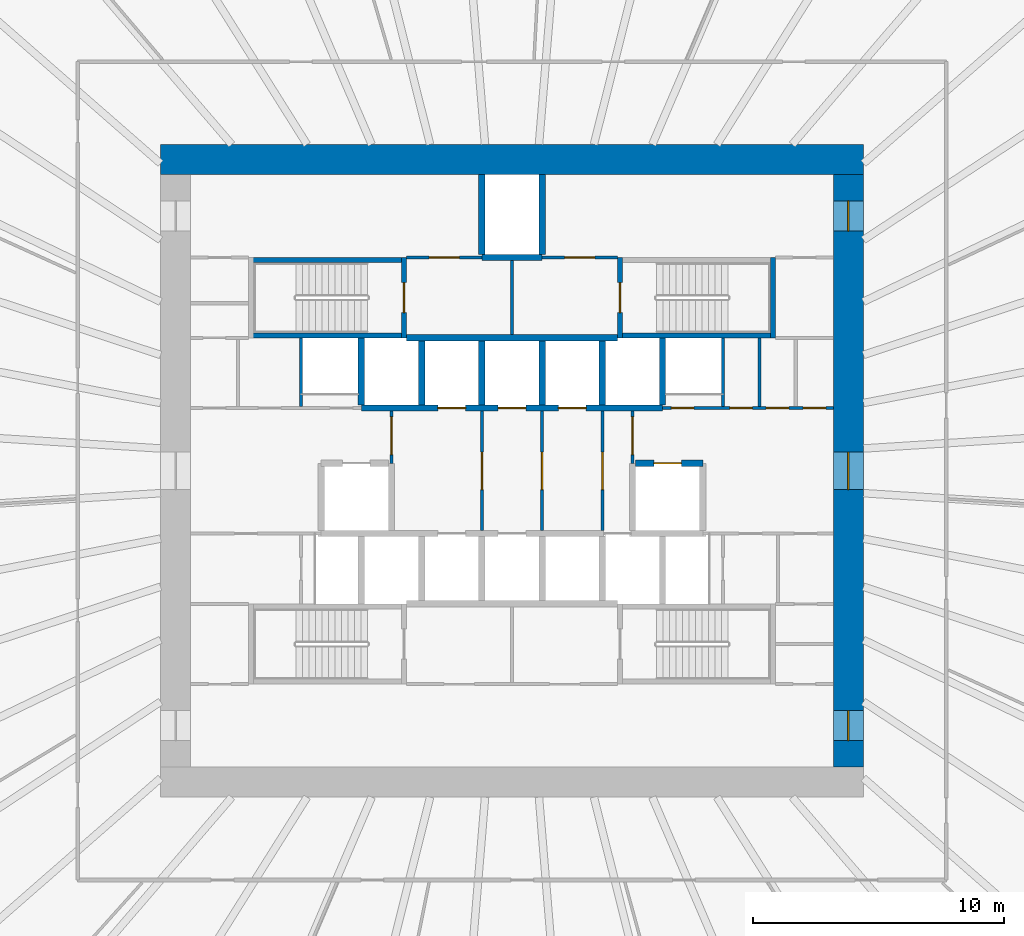
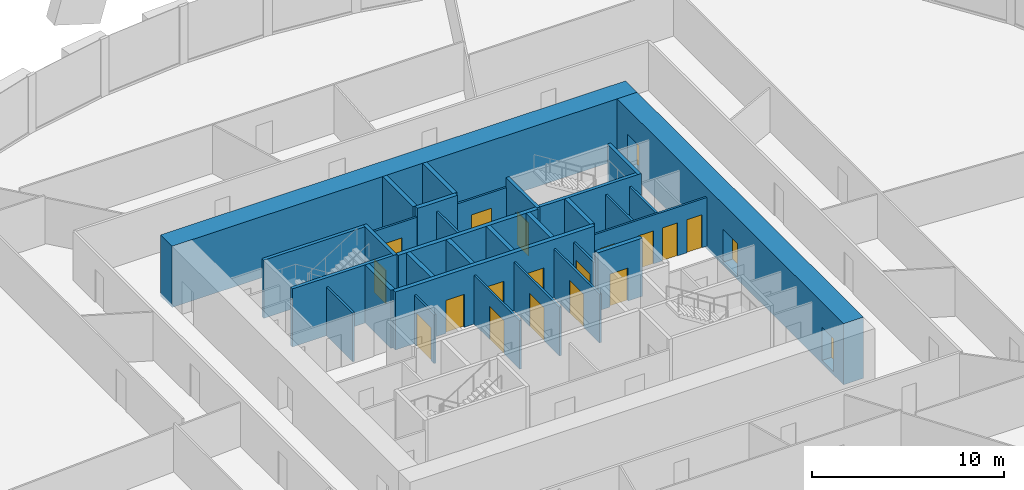
# One storey, part 8 of 10: 32 walls, 20 doors, 20 openings.
"""IFC4 building model written with IfcOpenShell, lengths in metres."""

from ifc_helpers import new_model, si_unit, direction, frame, frame_2d, origin, place, context, subcontext, project, spatial, rectangle, extrude, source, transform, mapped, material, layer, layer_set, type_object, element, fill, save


model = new_model("IFC4")

# Units and contexts
model_context = context("Model", 3, precision=1e-05, world=origin(), true_north=direction((0.0, 1.0)))
body_context = subcontext(model_context, "Body", "Model", "MODEL_VIEW")
ifc_project = project(units=[si_unit("LENGTHUNIT", "METRE"), si_unit("AREAUNIT", "SQUARE_METRE"), si_unit("VOLUMEUNIT", "CUBIC_METRE"), si_unit("PLANEANGLEUNIT", "RADIAN"), si_unit("MASSUNIT", "GRAM", prefix="KILO")], contexts=[model_context])

# Site, building, storey
site_placement = place(None, origin())
site = spatial("IfcSite", under=ifc_project, at=site_placement, CompositionType="ELEMENT")
building_placement = place(site_placement, origin())
building = spatial("IfcBuilding", under=site, at=building_placement, Name="Embergate Tower", CompositionType="ELEMENT")
storey_placement = place(building_placement, frame((0.0, 0.0, 89.300048828125)))
storey = spatial("IfcBuildingStorey", under=building, at=storey_placement, Name="L18", CompositionType="ELEMENT", Elevation=89.300048828125)

# Wall
ifc_material_1 = material(Name="Concrete C80", Category="concrete")
ifc_layer_1 = layer(ifc_material_1, 1.199951171875)
ifc_layer_set_1 = layer_set([ifc_layer_1], Name="Concrete C80")
wall_type_1 = type_object("IfcWallType", Name="Core outer wall C80 1200", PredefinedType="SHEAR", material=ifc_layer_set_1)
shared_shape_1 = source(origin(), body_context, "Body", "SweptSolid", [
    extrude(rectangle(XDim=28.0, YDim=1.199951171875, at=frame_2d((14.0, 0.0))), origin(), (0.0, 0.0, 1.0), 3.89990234375),
])
wall_1_placement = place(storey_placement, frame((-14.0, 12.39990234375, -0.199951171875), z_axis=(0.0, 0.0, 1.0), x_axis=(1.0, 0.0, 0.0)))
element("IfcWall", 1, at=wall_1_placement, inside=storey, type_object=wall_type_1, Name="CW-L18-N", PredefinedType="SHEAR", context=body_context, shape_type="MappedRepresentation", body=[
    mapped(shared_shape_1, transform((0.0, 0.0, 0.0))),
])

# Wall, openings, doors
shared_shape_2 = source(origin(), body_context, "Body", "SweptSolid", [
    extrude(rectangle(XDim=23.60009765625, YDim=1.199951171875, at=frame_2d((11.800048828125, 0.0))), origin(), (0.0, 0.0, 1.0), 3.89990234375),
])
wall_2_placement = place(storey_placement, frame((13.39990234375, -11.800048828125, -0.199951171875), z_axis=(0.0, 0.0, 1.0), x_axis=(0.0, 1.0, 0.0)))
wall_2 = element("IfcWall", 2, at=wall_2_placement, inside=storey, type_object=wall_type_1, Name="CW-L18-E", PredefinedType="SHEAR", context=body_context, shape_type="MappedRepresentation", body=[
    mapped(shared_shape_2, transform((0.0, 0.0, 0.0))),
])
shared_shape_3 = source(origin(), body_context, "Body", "SweptSolid", [
    extrude(rectangle(XDim=1.199951171875, YDim=2.10009765625, at=frame_2d((0.60009765625, 1.050048828125))), frame((0.0, 0.60986328125, 0.0), z_axis=(0.0, -1.0, 0.0), x_axis=(1.0, 0.0, 0.0)), (0.0, 0.0, 1.0), 1.219970703125),
])
opening_1_placement = place(wall_2_placement, frame((21.35009765625, 0.0, 0.199951171875)))
opening_1 = element("IfcOpeningElement", 3, at=opening_1_placement, cuts=wall_2, Name="Opening IF-1", PredefinedType="OPENING", context=body_context, shape_type="MappedRepresentation", body=[
    mapped(shared_shape_3, transform((0.0, 0.0, 0.0))),
])
opening_2_placement = place(wall_2_placement, frame((1.050048828125, 0.0, 0.199951171875)))
opening_2 = element("IfcOpeningElement", 4, at=opening_2_placement, cuts=wall_2, Name="Opening IF-1", PredefinedType="OPENING", context=body_context, shape_type="MappedRepresentation", body=[
    mapped(shared_shape_3, transform((0.0, 0.0, 0.0))),
])
shared_shape_4 = source(origin(), body_context, "Body", "SweptSolid", [
    extrude(rectangle(XDim=1.5, YDim=2.10009765625, at=frame_2d((0.75, 1.050048828125))), frame((0.0, 0.60986328125, 0.0), z_axis=(0.0, -1.0, 0.0), x_axis=(1.0, 0.0, 0.0)), (0.0, 0.0, 1.0), 1.219970703125),
])
opening_3_placement = place(wall_2_placement, frame((11.050048828125, 0.0, 0.199951171875)))
opening_3 = element("IfcOpeningElement", 5, at=opening_3_placement, cuts=wall_2, Name="Opening IF-3", PredefinedType="OPENING", context=body_context, shape_type="MappedRepresentation", body=[
    mapped(shared_shape_4, transform((0.0, 0.0, 0.0))),
])
ifc_material_2 = material(Name="Escape fire door 1200")
door_type_1 = type_object("IfcDoorType", Name="Escape fire door 1200", OperationType="SINGLE_SWING_LEFT", PredefinedType="DOOR", material=ifc_material_2)
shared_shape_5 = source(origin(), body_context, "Body", "SweptSolid", [
    extrude(rectangle(XDim=1.199951171875, YDim=2.10009765625, at=frame_2d((0.60009765625, 1.050048828125))), frame((0.0, 0.02490234375, 0.0), z_axis=(0.0, -1.0, 0.0), x_axis=(1.0, 0.0, 0.0)), (0.0, 0.0, 1.0), 0.050048828125),
])
door_1_placement = place(opening_1_placement, origin())
door_1 = element("IfcDoor", 6, at=door_1_placement, inside=storey, type_object=door_type_1, Name="IF-1 door", OperationType="SINGLE_SWING_RIGHT", OverallHeight=2.10009765625, OverallWidth=1.199951171875, PredefinedType="DOOR", context=body_context, shape_type="MappedRepresentation", body=[
    mapped(shared_shape_5, transform((0.0, 0.0, 0.0))),
])
fill(opening_1, door_1)
door_2_placement = place(opening_2_placement, origin())
door_2 = element("IfcDoor", 7, at=door_2_placement, inside=storey, type_object=door_type_1, Name="IF-1 door", OperationType="SINGLE_SWING_RIGHT", OverallHeight=2.10009765625, OverallWidth=1.199951171875, PredefinedType="DOOR", context=body_context, shape_type="MappedRepresentation", body=[
    mapped(shared_shape_5, transform((0.0, 0.0, 0.0))),
])
fill(opening_2, door_2)
ifc_material_3 = material(Name="Lobby fire door pair 1500")
door_type_2 = type_object("IfcDoorType", Name="Lobby fire door pair 1500", OperationType="DOUBLE_DOOR_SINGLE_SWING", PredefinedType="DOOR", material=ifc_material_3)
shared_shape_6 = source(origin(), body_context, "Body", "SweptSolid", [
    extrude(rectangle(XDim=1.5, YDim=2.10009765625, at=frame_2d((0.75, 1.050048828125))), frame((0.0, 0.02490234375, 0.0), z_axis=(0.0, -1.0, 0.0), x_axis=(1.0, 0.0, 0.0)), (0.0, 0.0, 1.0), 0.050048828125),
])
door_3_placement = place(opening_3_placement, origin())
door_3 = element("IfcDoor", 8, at=door_3_placement, inside=storey, type_object=door_type_2, Name="IF-3 door", OperationType="DOUBLE_DOOR_SINGLE_SWING", OverallHeight=2.10009765625, OverallWidth=1.5, PredefinedType="DOOR", context=body_context, shape_type="MappedRepresentation", body=[
    mapped(shared_shape_6, transform((0.0, 0.0, 0.0))),
])
fill(opening_3, door_3)

# Walls
ifc_material_4 = material(Name="Concrete C50", Category="concrete")
ifc_layer_2 = layer(ifc_material_4, 0.25)
ifc_layer_set_2 = layer_set([ifc_layer_2], Name="Concrete C50")
wall_type_2 = type_object("IfcWallType", Name="Hoistway wall reinforced concrete 250", PredefinedType="SHEAR", material=ifc_layer_set_2)
shared_shape_7 = source(origin(), body_context, "Body", "SweptSolid", [
    extrude(rectangle(XDim=2.675048828125, YDim=0.25, at=frame_2d((1.33740234375, 0.0))), origin(), (0.0, 0.0, 1.0), 3.699951171875),
])
for number, where, z_axis, x_axis, name in (
    (9, (-6.0, 2.625, 0.0), (0.0, 0.0, 1.0), (0.0, 1.0, 0.0), "HW-1 wall"),
    (10, (6.0, 2.625, 0.0), (0.0, 0.0, 1.0), (0.0, 1.0, 0.0), "HW-1 wall"),
):
    element("IfcWall", number, at=place(storey_placement, frame(where, z_axis=z_axis, x_axis=x_axis)), inside=storey, type_object=wall_type_2, Name=name, PredefinedType="SHEAR", context=body_context, shape_type="MappedRepresentation", body=[
        mapped(shared_shape_7, transform((0.0, 0.0, 0.0))),
    ])

# Wall, opening, door
wall_3_placement = place(storey_placement, frame((7.60009765625, 0.300048828125, 0.0), z_axis=(0.0, 0.0, 1.0), x_axis=(-1.0, 0.0, 0.0)))
wall_3 = element("IfcWall", 11, at=wall_3_placement, inside=storey, type_object=wall_type_2, Name="HW-1 wall", PredefinedType="SHEAR", context=body_context, shape_type="MappedRepresentation", body=[
    mapped(shared_shape_7, transform((0.0, 0.0, 0.0))),
])
shared_shape_8 = source(origin(), body_context, "Body", "SweptSolid", [
    extrude(rectangle(XDim=1.10009765625, YDim=2.10009765625, at=frame_2d((0.550048828125, 1.050048828125))), frame((0.0, 0.135009765625, 0.0), z_axis=(0.0, -1.0, 0.0), x_axis=(1.0, 0.0, 0.0)), (0.0, 0.0, 1.0), 0.27001953125),
])
opening_4_placement = place(wall_3_placement, frame((0.85009765625, 0.0, 0.0)))
opening_4 = element("IfcOpeningElement", 12, at=opening_4_placement, cuts=wall_3, Name="Opening LD", PredefinedType="OPENING", context=body_context, shape_type="MappedRepresentation", body=[
    mapped(shared_shape_8, transform((0.0, 0.0, 0.0))),
])
ifc_material_5 = material(Name="Landing door sliding 1100")
door_type_3 = type_object("IfcDoorType", Name="Landing door sliding 1100", OperationType="SLIDING_TO_LEFT", PredefinedType="DOOR", material=ifc_material_5)
shared_shape_9 = source(origin(), body_context, "Body", "SweptSolid", [
    extrude(rectangle(XDim=1.10009765625, YDim=2.10009765625, at=frame_2d((0.550048828125, 1.050048828125))), frame((0.0, 0.02490234375, 0.0), z_axis=(0.0, -1.0, 0.0), x_axis=(1.0, 0.0, 0.0)), (0.0, 0.0, 1.0), 0.050048828125),
])
door_4_placement = place(opening_4_placement, origin())
door_4 = element("IfcDoor", 13, at=door_4_placement, inside=storey, type_object=door_type_3, Name="LD door", OperationType="SLIDING_TO_LEFT", OverallHeight=2.10009765625, OverallWidth=1.10009765625, PredefinedType="DOOR", context=body_context, shape_type="MappedRepresentation", body=[
    mapped(shared_shape_9, transform((0.0, 0.0, 0.0))),
])
fill(opening_4, door_4)

# Walls
ifc_layer_3 = layer(ifc_material_4, 0.199951171875)
ifc_layer_set_3 = layer_set([ifc_layer_3], Name="Concrete C50")
wall_type_3 = type_object("IfcWallType", Name="Stair enclosure wall reinforced concrete 250", PredefinedType="SHEAR", material=ifc_layer_set_3)
shared_shape_10 = source(origin(), body_context, "Body", "SweptSolid", [
    extrude(rectangle(XDim=6.300048828125, YDim=0.199951171875, at=frame_2d((3.14990234375, 0.0))), origin(), (0.0, 0.0, 1.0), 3.699951171875),
])
for number, where, z_axis, x_axis, name in (
    (14, (-4.199951171875, 5.39990234375, 0.0), (0.0, 0.0, 1.0), (-1.0, 0.0, 0.0), "SE-1 wall"),
    (15, (10.5, 5.39990234375, 0.0), (0.0, 0.0, 1.0), (-1.0, 0.0, 0.0), "SE-1 wall"),
    (16, (-4.199951171875, 8.39990234375, 0.0), (0.0, 0.0, 1.0), (-1.0, 0.0, 0.0), "SE-1 wall"),
):
    element("IfcWall", number, at=place(storey_placement, frame(where, z_axis=z_axis, x_axis=x_axis)), inside=storey, type_object=wall_type_3, Name=name, PredefinedType="SHEAR", context=body_context, shape_type="MappedRepresentation", body=[
        mapped(shared_shape_10, transform((0.0, 0.0, 0.0))),
    ])
shared_shape_11 = source(origin(), body_context, "Body", "SweptSolid", [
    extrude(rectangle(XDim=2.550048828125, YDim=0.25, at=frame_2d((1.27490234375, 0.0))), origin(), (0.0, 0.0, 1.0), 3.699951171875),
])
for number, where, z_axis, x_axis, name in (
    (17, (-3.60009765625, 2.625, 0.0), (0.0, 0.0, 1.0), (0.0, 1.0, 0.0), "HW-1 wall"),
    (18, (-1.199951171875, 2.625, 0.0), (0.0, 0.0, 1.0), (0.0, 1.0, 0.0), "HW-1 wall"),
    (19, (1.199951171875, 2.625, 0.0), (0.0, 0.0, 1.0), (0.0, 1.0, 0.0), "HW-1 wall"),
    (20, (3.60009765625, 2.625, 0.0), (0.0, 0.0, 1.0), (0.0, 1.0, 0.0), "HW-1 wall"),
):
    element("IfcWall", number, at=place(storey_placement, frame(where, z_axis=z_axis, x_axis=x_axis)), inside=storey, type_object=wall_type_2, Name=name, PredefinedType="SHEAR", context=body_context, shape_type="MappedRepresentation", body=[
        mapped(shared_shape_11, transform((0.0, 0.0, 0.0))),
    ])

# Wall, openings, doors
shared_shape_12 = source(origin(), body_context, "Body", "SweptSolid", [
    extrude(rectangle(XDim=12.0, YDim=0.25, at=frame_2d((6.0, 0.0))), origin(), (0.0, 0.0, 1.0), 3.699951171875),
])
wall_4_placement = place(storey_placement, frame((-6.0, 2.5, 0.0), z_axis=(0.0, 0.0, 1.0), x_axis=(1.0, 0.0, 0.0)))
wall_4 = element("IfcWall", 21, at=wall_4_placement, inside=storey, type_object=wall_type_2, Name="HW-1 wall", PredefinedType="SHEAR", context=body_context, shape_type="MappedRepresentation", body=[
    mapped(shared_shape_12, transform((0.0, 0.0, 0.0))),
])
opening_5_placement = place(wall_4_placement, frame((3.050048828125, 0.0, 0.0)))
opening_5 = element("IfcOpeningElement", 22, at=opening_5_placement, cuts=wall_4, Name="Opening LD", PredefinedType="OPENING", context=body_context, shape_type="MappedRepresentation", body=[
    mapped(shared_shape_8, transform((0.0, 0.0, 0.0))),
])
opening_6_placement = place(wall_4_placement, frame((5.449951171875, 0.0, 0.0)))
opening_6 = element("IfcOpeningElement", 23, at=opening_6_placement, cuts=wall_4, Name="Opening LD", PredefinedType="OPENING", context=body_context, shape_type="MappedRepresentation", body=[
    mapped(shared_shape_8, transform((0.0, 0.0, 0.0))),
])
opening_7_placement = place(wall_4_placement, frame((7.85009765625, 0.0, 0.0)))
opening_7 = element("IfcOpeningElement", 24, at=opening_7_placement, cuts=wall_4, Name="Opening LD", PredefinedType="OPENING", context=body_context, shape_type="MappedRepresentation", body=[
    mapped(shared_shape_8, transform((0.0, 0.0, 0.0))),
])
door_5_placement = place(opening_5_placement, origin())
door_5 = element("IfcDoor", 25, at=door_5_placement, inside=storey, type_object=door_type_3, Name="LD door", OperationType="SLIDING_TO_LEFT", OverallHeight=2.10009765625, OverallWidth=1.10009765625, PredefinedType="DOOR", context=body_context, shape_type="MappedRepresentation", body=[
    mapped(shared_shape_9, transform((0.0, 0.0, 0.0))),
])
fill(opening_5, door_5)
door_6_placement = place(opening_6_placement, origin())
door_6 = element("IfcDoor", 26, at=door_6_placement, inside=storey, type_object=door_type_3, Name="LD door", OperationType="SLIDING_TO_LEFT", OverallHeight=2.10009765625, OverallWidth=1.10009765625, PredefinedType="DOOR", context=body_context, shape_type="MappedRepresentation", body=[
    mapped(shared_shape_9, transform((0.0, 0.0, 0.0))),
])
fill(opening_6, door_6)
door_7_placement = place(opening_7_placement, origin())
door_7 = element("IfcDoor", 27, at=door_7_placement, inside=storey, type_object=door_type_3, Name="LD door", OperationType="SLIDING_TO_RIGHT", OverallHeight=2.10009765625, OverallWidth=1.10009765625, PredefinedType="DOOR", context=body_context, shape_type="MappedRepresentation", body=[
    mapped(shared_shape_9, transform((0.0, 0.0, 0.0))),
])
fill(opening_7, door_7)

# Wall
shared_shape_13 = source(origin(), body_context, "Body", "SweptSolid", [
    extrude(rectangle(XDim=8.39990234375, YDim=0.25, at=frame_2d((4.199951171875, 0.0))), origin(), (0.0, 0.0, 1.0), 3.699951171875),
])
wall_5_placement = place(storey_placement, frame((4.199951171875, 5.300048828125, 0.0), z_axis=(0.0, 0.0, 1.0), x_axis=(-1.0, 0.0, 0.0)))
element("IfcWall", 28, at=wall_5_placement, inside=storey, type_object=wall_type_2, Name="HW-1 wall", PredefinedType="SHEAR", context=body_context, shape_type="MappedRepresentation", body=[
    mapped(shared_shape_13, transform((0.0, 0.0, 0.0))),
])

# Wall, opening, door
shared_shape_14 = source(origin(), body_context, "Body", "SweptSolid", [
    extrude(rectangle(XDim=3.199951171875, YDim=0.199951171875, at=frame_2d((1.60009765625, 0.0))), origin(), (0.0, 0.0, 1.0), 3.699951171875),
])
wall_6_placement = place(storey_placement, frame((-4.300048828125, 5.300048828125, 0.0), z_axis=(0.0, 0.0, 1.0), x_axis=(0.0, 1.0, 0.0)))
wall_6 = element("IfcWall", 29, at=wall_6_placement, inside=storey, type_object=wall_type_3, Name="SE-1 wall", PredefinedType="SHEAR", context=body_context, shape_type="MappedRepresentation", body=[
    mapped(shared_shape_14, transform((0.0, 0.0, 0.0))),
])
shared_shape_15 = source(origin(), body_context, "Body", "SweptSolid", [
    extrude(rectangle(XDim=1.199951171875, YDim=2.10009765625, at=frame_2d((0.60009765625, 1.050048828125))), frame((0.0, 0.10986328125, 0.0), z_axis=(0.0, -1.0, 0.0), x_axis=(1.0, 0.0, 0.0)), (0.0, 0.0, 1.0), 0.219970703125),
])
opening_8_placement = place(wall_6_placement, frame((1.0, 0.0, 0.0)))
opening_8 = element("IfcOpeningElement", 30, at=opening_8_placement, cuts=wall_6, Name="Opening IF-2", PredefinedType="OPENING", context=body_context, shape_type="MappedRepresentation", body=[
    mapped(shared_shape_15, transform((0.0, 0.0, 0.0))),
])
ifc_material_6 = material(Name="Stair enclosure door 1200")
door_type_4 = type_object("IfcDoorType", Name="Stair enclosure door 1200", OperationType="SINGLE_SWING_LEFT", PredefinedType="DOOR", material=ifc_material_6)
door_8_placement = place(opening_8_placement, origin())
door_8 = element("IfcDoor", 31, at=door_8_placement, inside=storey, type_object=door_type_4, Name="IF-2 door", OperationType="SINGLE_SWING_LEFT", OverallHeight=2.10009765625, OverallWidth=1.199951171875, PredefinedType="DOOR", context=body_context, shape_type="MappedRepresentation", body=[
    mapped(shared_shape_5, transform((0.0, 0.0, 0.0))),
])
fill(opening_8, door_8)

wall_7_placement = place(storey_placement, frame((4.300048828125, 8.5, 0.0), z_axis=(0.0, 0.0, 1.0), x_axis=(0.0, -1.0, 0.0)))
wall_7 = element("IfcWall", 32, at=wall_7_placement, inside=storey, type_object=wall_type_3, Name="SE-1 wall", PredefinedType="SHEAR", context=body_context, shape_type="MappedRepresentation", body=[
    mapped(shared_shape_14, transform((0.0, 0.0, 0.0))),
])
opening_9_placement = place(wall_7_placement, frame((1.0, 0.0, 0.0)))
opening_9 = element("IfcOpeningElement", 33, at=opening_9_placement, cuts=wall_7, Name="Opening IF-2", PredefinedType="OPENING", context=body_context, shape_type="MappedRepresentation", body=[
    mapped(shared_shape_15, transform((0.0, 0.0, 0.0))),
])
door_9_placement = place(opening_9_placement, origin())
door_9 = element("IfcDoor", 34, at=door_9_placement, inside=storey, type_object=door_type_4, Name="IF-2 door", OperationType="SINGLE_SWING_RIGHT", OverallHeight=2.10009765625, OverallWidth=1.199951171875, PredefinedType="DOOR", context=body_context, shape_type="MappedRepresentation", body=[
    mapped(shared_shape_5, transform((0.0, 0.0, 0.0))),
])
fill(opening_9, door_9)

# Walls
wall_8_placement = place(storey_placement, frame((10.39990234375, 5.300048828125, 0.0), z_axis=(0.0, 0.0, 1.0), x_axis=(0.0, 1.0, 0.0)))
element("IfcWall", 35, at=wall_8_placement, inside=storey, type_object=wall_type_3, Name="SE-1 wall", PredefinedType="SHEAR", context=body_context, shape_type="MappedRepresentation", body=[
    mapped(shared_shape_14, transform((0.0, 0.0, 0.0))),
])
shared_shape_16 = source(origin(), body_context, "Body", "SweptSolid", [
    extrude(rectangle(XDim=2.39990234375, YDim=0.25, at=frame_2d((1.199951171875, 0.0))), origin(), (0.0, 0.0, 1.0), 3.699951171875),
])
wall_9_placement = place(storey_placement, frame((1.199951171875, 8.5, 0.0), z_axis=(0.0, 0.0, 1.0), x_axis=(-1.0, 0.0, 0.0)))
element("IfcWall", 36, at=wall_9_placement, inside=storey, type_object=wall_type_2, Name="HW-1 wall", PredefinedType="SHEAR", context=body_context, shape_type="MappedRepresentation", body=[
    mapped(shared_shape_16, transform((0.0, 0.0, 0.0))),
])
shared_shape_17 = source(origin(), body_context, "Body", "SweptSolid", [
    extrude(rectangle(XDim=3.175048828125, YDim=0.25, at=frame_2d((1.58740234375, 0.0))), origin(), (0.0, 0.0, 1.0), 3.699951171875),
])
for number, where, z_axis, x_axis, name in (
    (37, (-1.199951171875, 8.625, 0.0), (0.0, 0.0, 1.0), (0.0, 1.0, 0.0), "HW-1 wall"),
    (38, (1.199951171875, 11.800048828125, 0.0), (0.0, 0.0, 1.0), (0.0, -1.0, 0.0), "HW-1 wall"),
):
    element("IfcWall", number, at=place(storey_placement, frame(where, z_axis=z_axis, x_axis=x_axis)), inside=storey, type_object=wall_type_2, Name=name, PredefinedType="SHEAR", context=body_context, shape_type="MappedRepresentation", body=[
        mapped(shared_shape_17, transform((0.0, 0.0, 0.0))),
    ])

# Wall, openings, doors
ifc_material_7 = material(Name="Core partition blockwork 120")
ifc_layer_4 = layer(ifc_material_7, 0.1201171875)
ifc_layer_set_4 = layer_set([ifc_layer_4], Name="Core partition blockwork 120")
wall_type_4 = type_object("IfcWallType", Name="Core partition blockwork 120", PredefinedType="PARTITIONING", material=ifc_layer_set_4)
shared_shape_18 = source(origin(), body_context, "Body", "SweptSolid", [
    extrude(rectangle(XDim=6.800048828125, YDim=0.1201171875, at=frame_2d((3.39990234375, 0.0))), origin(), (0.0, 0.0, 1.0), 3.099853515625),
])
wall_10_placement = place(storey_placement, frame((6.0, 2.5, 0.0), z_axis=(0.0, 0.0, 1.0), x_axis=(1.0, 0.0, 0.0)))
wall_10 = element("IfcWall", 39, at=wall_10_placement, inside=storey, type_object=wall_type_4, Name="IP-3 wall", PredefinedType="PARTITIONING", context=body_context, shape_type="MappedRepresentation", body=[
    mapped(shared_shape_18, transform((0.0, 0.0, 0.0))),
])
shared_shape_19 = source(origin(), body_context, "Body", "SweptSolid", [
    extrude(rectangle(XDim=0.89990234375, YDim=2.10009765625, at=frame_2d((0.449951171875, 1.050048828125))), frame((0.0, 0.070068359375, 0.0), z_axis=(0.0, -1.0, 0.0), x_axis=(1.0, 0.0, 0.0)), (0.0, 0.0, 1.0), 0.14013671875),
])
opening_10_placement = place(wall_10_placement, frame((0.35009765625, 0.0, 0.0)))
opening_10 = element("IfcOpeningElement", 40, at=opening_10_placement, cuts=wall_10, Name="Opening ID-1", PredefinedType="OPENING", context=body_context, shape_type="MappedRepresentation", body=[
    mapped(shared_shape_19, transform((0.0, 0.0, 0.0))),
])
opening_11_placement = place(wall_10_placement, frame((2.676025390625, 0.0, 0.0)))
opening_11 = element("IfcOpeningElement", 41, at=opening_11_placement, cuts=wall_10, Name="Opening ID-1", PredefinedType="OPENING", context=body_context, shape_type="MappedRepresentation", body=[
    mapped(shared_shape_19, transform((0.0, 0.0, 0.0))),
])
opening_12_placement = place(wall_10_placement, frame((4.1279296875, 0.0, 0.0)))
opening_12 = element("IfcOpeningElement", 42, at=opening_12_placement, cuts=wall_10, Name="Opening ID-1", PredefinedType="OPENING", context=body_context, shape_type="MappedRepresentation", body=[
    mapped(shared_shape_19, transform((0.0, 0.0, 0.0))),
])
opening_13_placement = place(wall_10_placement, frame((5.60205078125, 0.0, 0.0)))
opening_13 = element("IfcOpeningElement", 43, at=opening_13_placement, cuts=wall_10, Name="Opening ID-1", PredefinedType="OPENING", context=body_context, shape_type="MappedRepresentation", body=[
    mapped(shared_shape_19, transform((0.0, 0.0, 0.0))),
])
ifc_material_8 = material(Name="Interior door 900")
door_type_5 = type_object("IfcDoorType", Name="Interior door 900", OperationType="SINGLE_SWING_LEFT", PredefinedType="DOOR", material=ifc_material_8)
shared_shape_20 = source(origin(), body_context, "Body", "SweptSolid", [
    extrude(rectangle(XDim=0.89990234375, YDim=2.10009765625, at=frame_2d((0.449951171875, 1.050048828125))), frame((0.0, 0.02490234375, 0.0), z_axis=(0.0, -1.0, 0.0), x_axis=(1.0, 0.0, 0.0)), (0.0, 0.0, 1.0), 0.050048828125),
])
door_10_placement = place(opening_10_placement, origin())
door_10 = element("IfcDoor", 44, at=door_10_placement, inside=storey, type_object=door_type_5, Name="ID-1 door", OperationType="SINGLE_SWING_LEFT", OverallHeight=2.10009765625, OverallWidth=0.89990234375, PredefinedType="DOOR", context=body_context, shape_type="MappedRepresentation", body=[
    mapped(shared_shape_20, transform((0.0, 0.0, 0.0))),
])
fill(opening_10, door_10)
door_11_placement = place(opening_11_placement, origin())
door_11 = element("IfcDoor", 45, at=door_11_placement, inside=storey, type_object=door_type_5, Name="ID-1 door", OperationType="SINGLE_SWING_RIGHT", OverallHeight=2.10009765625, OverallWidth=0.89990234375, PredefinedType="DOOR", context=body_context, shape_type="MappedRepresentation", body=[
    mapped(shared_shape_20, transform((0.0, 0.0, 0.0))),
])
fill(opening_11, door_11)
door_12_placement = place(opening_12_placement, origin())
door_12 = element("IfcDoor", 46, at=door_12_placement, inside=storey, type_object=door_type_5, Name="ID-1 door", OperationType="SINGLE_SWING_LEFT", OverallHeight=2.10009765625, OverallWidth=0.89990234375, PredefinedType="DOOR", context=body_context, shape_type="MappedRepresentation", body=[
    mapped(shared_shape_20, transform((0.0, 0.0, 0.0))),
])
fill(opening_12, door_12)
door_13_placement = place(opening_13_placement, origin())
door_13 = element("IfcDoor", 47, at=door_13_placement, inside=storey, type_object=door_type_5, Name="ID-1 door", OperationType="SINGLE_SWING_LEFT", OverallHeight=2.10009765625, OverallWidth=0.89990234375, PredefinedType="DOOR", context=body_context, shape_type="MappedRepresentation", body=[
    mapped(shared_shape_20, transform((0.0, 0.0, 0.0))),
])
fill(opening_13, door_13)

# Walls
shared_shape_21 = source(origin(), body_context, "Body", "SweptSolid", [
    extrude(rectangle(XDim=2.739990234375, YDim=0.1201171875, at=frame_2d((1.3701171875, 0.0))), origin(), (0.0, 0.0, 1.0), 3.099853515625),
])
for number, where, z_axis, x_axis, name in (
    (48, (-8.39990234375, 5.300048828125, 0.0), (0.0, 0.0, 1.0), (0.0, -1.0, 0.0), "IP-3 wall"),
    (49, (8.39990234375, 2.56005859375, 0.0), (0.0, 0.0, 1.0), (0.0, 1.0, 0.0), "IP-3 wall"),
    (50, (9.85205078125, 2.56005859375, 0.0), (0.0, 0.0, 1.0), (0.0, 1.0, 0.0), "IP-3 wall"),
):
    element("IfcWall", number, at=place(storey_placement, frame(where, z_axis=z_axis, x_axis=x_axis)), inside=storey, type_object=wall_type_4, Name=name, PredefinedType="PARTITIONING", context=body_context, shape_type="MappedRepresentation", body=[
        mapped(shared_shape_21, transform((0.0, 0.0, 0.0))),
    ])

# Wall, opening, door
shared_shape_22 = source(origin(), body_context, "Body", "SweptSolid", [
    extrude(rectangle(XDim=4.75, YDim=0.1201171875, at=frame_2d((2.375, 0.0))), origin(), (0.0, 0.0, 1.0), 3.099853515625),
])
wall_11_placement = place(storey_placement, frame((-1.199951171875, -2.375, 0.0), z_axis=(0.0, 0.0, 1.0), x_axis=(0.0, 1.0, 0.0)))
wall_11 = element("IfcWall", 51, at=wall_11_placement, inside=storey, type_object=wall_type_4, Name="IP-3 wall", PredefinedType="PARTITIONING", context=body_context, shape_type="MappedRepresentation", body=[
    mapped(shared_shape_22, transform((0.0, 0.0, 0.0))),
])
shared_shape_23 = source(origin(), body_context, "Body", "SweptSolid", [
    extrude(rectangle(XDim=1.5, YDim=2.10009765625, at=frame_2d((0.75, 1.050048828125))), frame((0.0, 0.070068359375, 0.0), z_axis=(0.0, -1.0, 0.0), x_axis=(1.0, 0.0, 0.0)), (0.0, 0.0, 1.0), 0.14013671875),
])
opening_14_placement = place(wall_11_placement, frame((1.625, 0.0, 0.0)))
opening_14 = element("IfcOpeningElement", 52, at=opening_14_placement, cuts=wall_11, Name="Opening IF-3", PredefinedType="OPENING", context=body_context, shape_type="MappedRepresentation", body=[
    mapped(shared_shape_23, transform((0.0, 0.0, 0.0))),
])
door_14_placement = place(opening_14_placement, origin())
door_14 = element("IfcDoor", 53, at=door_14_placement, inside=storey, type_object=door_type_2, Name="IF-3 door", OperationType="DOUBLE_DOOR_SINGLE_SWING", OverallHeight=2.10009765625, OverallWidth=1.5, PredefinedType="DOOR", context=body_context, shape_type="MappedRepresentation", body=[
    mapped(shared_shape_6, transform((0.0, 0.0, 0.0))),
])
fill(opening_14, door_14)

wall_12_placement = place(storey_placement, frame((1.199951171875, -2.375, 0.0), z_axis=(0.0, 0.0, 1.0), x_axis=(0.0, 1.0, 0.0)))
wall_12 = element("IfcWall", 54, at=wall_12_placement, inside=storey, type_object=wall_type_4, Name="IP-3 wall", PredefinedType="PARTITIONING", context=body_context, shape_type="MappedRepresentation", body=[
    mapped(shared_shape_22, transform((0.0, 0.0, 0.0))),
])
opening_15_placement = place(wall_12_placement, frame((1.625, 0.0, 0.0)))
opening_15 = element("IfcOpeningElement", 55, at=opening_15_placement, cuts=wall_12, Name="Opening IF-3", PredefinedType="OPENING", context=body_context, shape_type="MappedRepresentation", body=[
    mapped(shared_shape_23, transform((0.0, 0.0, 0.0))),
])
door_15_placement = place(opening_15_placement, origin())
door_15 = element("IfcDoor", 56, at=door_15_placement, inside=storey, type_object=door_type_2, Name="IF-3 door", OperationType="DOUBLE_DOOR_SINGLE_SWING", OverallHeight=2.10009765625, OverallWidth=1.5, PredefinedType="DOOR", context=body_context, shape_type="MappedRepresentation", body=[
    mapped(shared_shape_6, transform((0.0, 0.0, 0.0))),
])
fill(opening_15, door_15)

wall_13_placement = place(storey_placement, frame((3.60009765625, -2.375, 0.0), z_axis=(0.0, 0.0, 1.0), x_axis=(0.0, 1.0, 0.0)))
wall_13 = element("IfcWall", 57, at=wall_13_placement, inside=storey, type_object=wall_type_4, Name="IP-3 wall", PredefinedType="PARTITIONING", context=body_context, shape_type="MappedRepresentation", body=[
    mapped(shared_shape_22, transform((0.0, 0.0, 0.0))),
])
opening_16_placement = place(wall_13_placement, frame((1.625, 0.0, 0.0)))
opening_16 = element("IfcOpeningElement", 58, at=opening_16_placement, cuts=wall_13, Name="Opening IF-3", PredefinedType="OPENING", context=body_context, shape_type="MappedRepresentation", body=[
    mapped(shared_shape_23, transform((0.0, 0.0, 0.0))),
])
door_16_placement = place(opening_16_placement, origin())
door_16 = element("IfcDoor", 59, at=door_16_placement, inside=storey, type_object=door_type_2, Name="IF-3 door", OperationType="DOUBLE_DOOR_SINGLE_SWING", OverallHeight=2.10009765625, OverallWidth=1.5, PredefinedType="DOOR", context=body_context, shape_type="MappedRepresentation", body=[
    mapped(shared_shape_6, transform((0.0, 0.0, 0.0))),
])
fill(opening_16, door_16)

shared_shape_24 = source(origin(), body_context, "Body", "SweptSolid", [
    extrude(rectangle(XDim=2.074951171875, YDim=0.1201171875, at=frame_2d((1.03759765625, 0.0))), origin(), (0.0, 0.0, 1.0), 3.099853515625),
])
wall_14_placement = place(storey_placement, frame((-4.800048828125, 2.375, 0.0), z_axis=(0.0, 0.0, 1.0), x_axis=(0.0, -1.0, 0.0)))
wall_14 = element("IfcWall", 60, at=wall_14_placement, inside=storey, type_object=wall_type_4, Name="IP-3 wall", PredefinedType="PARTITIONING", context=body_context, shape_type="MappedRepresentation", body=[
    mapped(shared_shape_24, transform((0.0, 0.0, 0.0))),
])
opening_17_placement = place(wall_14_placement, frame((0.22509765625, 0.0, 0.0)))
opening_17 = element("IfcOpeningElement", 61, at=opening_17_placement, cuts=wall_14, Name="Opening IF-3", PredefinedType="OPENING", context=body_context, shape_type="MappedRepresentation", body=[
    mapped(shared_shape_23, transform((0.0, 0.0, 0.0))),
])
door_17_placement = place(opening_17_placement, origin())
door_17 = element("IfcDoor", 62, at=door_17_placement, inside=storey, type_object=door_type_2, Name="IF-3 door", OperationType="DOUBLE_DOOR_SINGLE_SWING", OverallHeight=2.10009765625, OverallWidth=1.5, PredefinedType="DOOR", context=body_context, shape_type="MappedRepresentation", body=[
    mapped(shared_shape_6, transform((0.0, 0.0, 0.0))),
])
fill(opening_17, door_17)

wall_15_placement = place(storey_placement, frame((4.800048828125, 0.300048828125, 0.0), z_axis=(0.0, 0.0, 1.0), x_axis=(0.0, 1.0, 0.0)))
wall_15 = element("IfcWall", 63, at=wall_15_placement, inside=storey, type_object=wall_type_4, Name="IP-3 wall", PredefinedType="PARTITIONING", context=body_context, shape_type="MappedRepresentation", body=[
    mapped(shared_shape_24, transform((0.0, 0.0, 0.0))),
])
opening_18_placement = place(wall_15_placement, frame((0.35009765625, 0.0, 0.0)))
opening_18 = element("IfcOpeningElement", 64, at=opening_18_placement, cuts=wall_15, Name="Opening IF-3", PredefinedType="OPENING", context=body_context, shape_type="MappedRepresentation", body=[
    mapped(shared_shape_23, transform((0.0, 0.0, 0.0))),
])
door_18_placement = place(opening_18_placement, origin())
door_18 = element("IfcDoor", 65, at=door_18_placement, inside=storey, type_object=door_type_2, Name="IF-3 door", OperationType="DOUBLE_DOOR_SINGLE_SWING", OverallHeight=2.10009765625, OverallWidth=1.5, PredefinedType="DOOR", context=body_context, shape_type="MappedRepresentation", body=[
    mapped(shared_shape_6, transform((0.0, 0.0, 0.0))),
])
fill(opening_18, door_18)

# Wall
shared_shape_25 = source(origin(), body_context, "Body", "SweptSolid", [
    extrude(rectangle(XDim=2.949951171875, YDim=0.1201171875, at=frame_2d((1.47509765625, 0.0))), origin(), (0.0, 0.0, 1.0), 3.099853515625),
])
wall_16_placement = place(storey_placement, frame((0.0, 5.425048828125, 0.0), z_axis=(0.0, 0.0, 1.0), x_axis=(0.0, 1.0, 0.0)))
element("IfcWall", 66, at=wall_16_placement, inside=storey, type_object=wall_type_4, Name="IP-3 wall", PredefinedType="PARTITIONING", context=body_context, shape_type="MappedRepresentation", body=[
    mapped(shared_shape_25, transform((0.0, 0.0, 0.0))),
])

# Wall, opening, door
shared_shape_26 = source(origin(), body_context, "Body", "SweptSolid", [
    extrude(rectangle(XDim=3.0, YDim=0.1201171875, at=frame_2d((1.5, 0.0))), origin(), (0.0, 0.0, 1.0), 3.099853515625),
])
wall_17_placement = place(storey_placement, frame((-1.199951171875, 8.5, 0.0), z_axis=(0.0, 0.0, 1.0), x_axis=(-1.0, 0.0, 0.0)))
wall_17 = element("IfcWall", 67, at=wall_17_placement, inside=storey, type_object=wall_type_4, Name="IP-3 wall", PredefinedType="PARTITIONING", context=body_context, shape_type="MappedRepresentation", body=[
    mapped(shared_shape_26, transform((0.0, 0.0, 0.0))),
])
shared_shape_27 = source(origin(), body_context, "Body", "SweptSolid", [
    extrude(rectangle(XDim=1.199951171875, YDim=2.10009765625, at=frame_2d((0.60009765625, 1.050048828125))), frame((0.0, 0.070068359375, 0.0), z_axis=(0.0, -1.0, 0.0), x_axis=(1.0, 0.0, 0.0)), (0.0, 0.0, 1.0), 0.14013671875),
])
opening_19_placement = place(wall_17_placement, frame((0.89990234375, 0.0, 0.0)))
opening_19 = element("IfcOpeningElement", 68, at=opening_19_placement, cuts=wall_17, Name="Opening IF-3f", PredefinedType="OPENING", context=body_context, shape_type="MappedRepresentation", body=[
    mapped(shared_shape_27, transform((0.0, 0.0, 0.0))),
])
ifc_material_9 = material(Name="Lobby fire door pair 1200")
door_type_6 = type_object("IfcDoorType", Name="Lobby fire door pair 1200", OperationType="DOUBLE_DOOR_SINGLE_SWING", PredefinedType="DOOR", material=ifc_material_9)
door_19_placement = place(opening_19_placement, origin())
door_19 = element("IfcDoor", 69, at=door_19_placement, inside=storey, type_object=door_type_6, Name="IF-3 door", OperationType="DOUBLE_DOOR_SINGLE_SWING", OverallHeight=2.10009765625, OverallWidth=1.199951171875, PredefinedType="DOOR", context=body_context, shape_type="MappedRepresentation", body=[
    mapped(shared_shape_5, transform((0.0, 0.0, 0.0))),
])
fill(opening_19, door_19)

wall_18_placement = place(storey_placement, frame((4.199951171875, 8.5, 0.0), z_axis=(0.0, 0.0, 1.0), x_axis=(-1.0, 0.0, 0.0)))
wall_18 = element("IfcWall", 70, at=wall_18_placement, inside=storey, type_object=wall_type_4, Name="IP-3 wall", PredefinedType="PARTITIONING", context=body_context, shape_type="MappedRepresentation", body=[
    mapped(shared_shape_26, transform((0.0, 0.0, 0.0))),
])
opening_20_placement = place(wall_18_placement, frame((0.89990234375, 0.0, 0.0)))
opening_20 = element("IfcOpeningElement", 71, at=opening_20_placement, cuts=wall_18, Name="Opening IF-3f", PredefinedType="OPENING", context=body_context, shape_type="MappedRepresentation", body=[
    mapped(shared_shape_27, transform((0.0, 0.0, 0.0))),
])
door_20_placement = place(opening_20_placement, origin())
door_20 = element("IfcDoor", 72, at=door_20_placement, inside=storey, type_object=door_type_6, Name="IF-3 door", OperationType="DOUBLE_DOOR_SINGLE_SWING", OverallHeight=2.10009765625, OverallWidth=1.199951171875, PredefinedType="DOOR", context=body_context, shape_type="MappedRepresentation", body=[
    mapped(shared_shape_5, transform((0.0, 0.0, 0.0))),
])
fill(opening_20, door_20)

save(model, "model.ifc")
